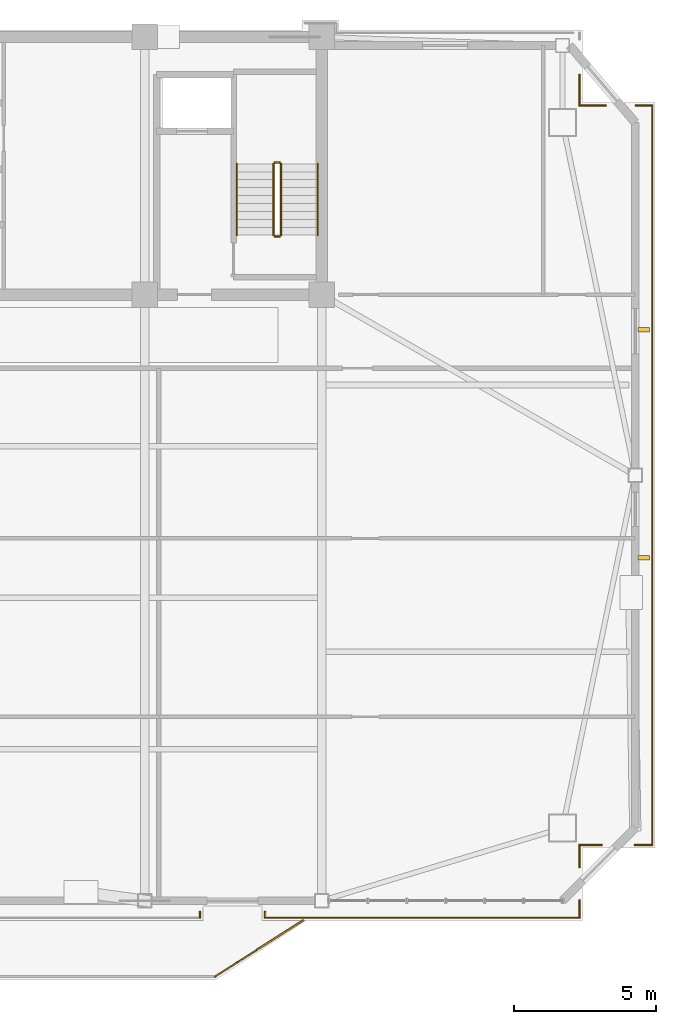
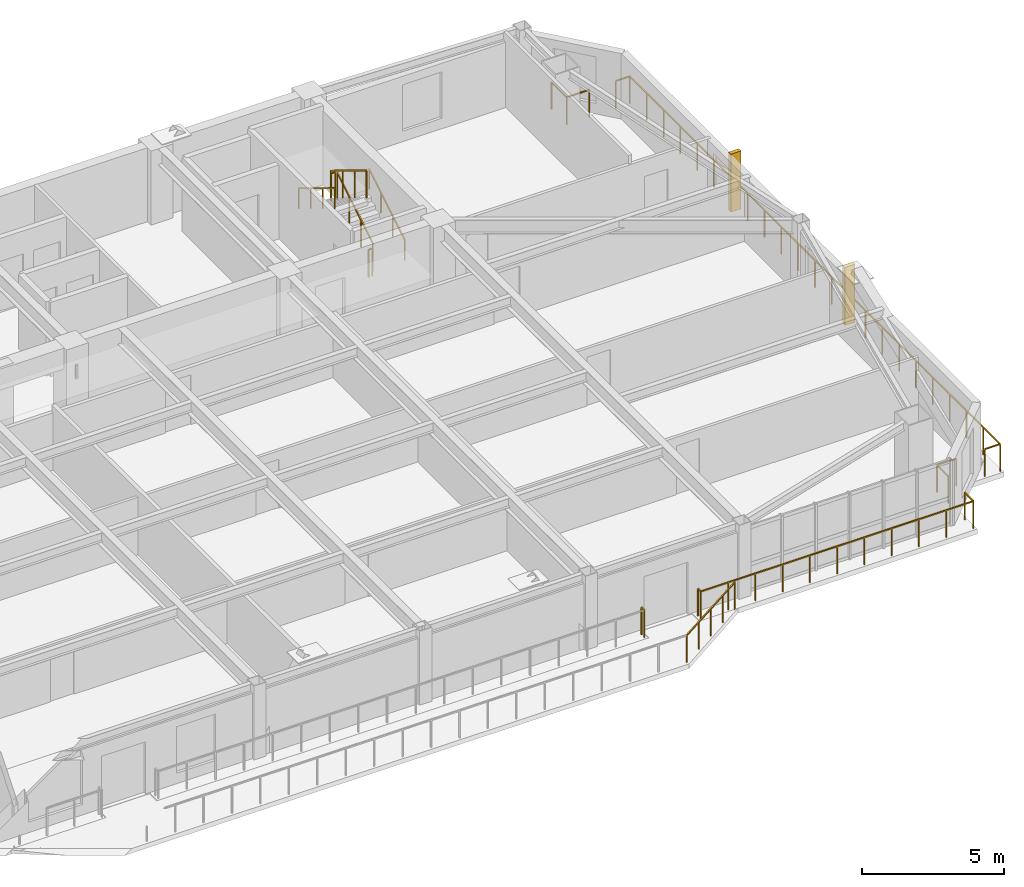
# One storey, part 16 of 18: 18 railings, 2 shading devices.
"""IFC4 building model written with IfcOpenShell, lengths in metres."""

from ifc_helpers import new_model, si_unit, direction, frame, origin, origin_2d, place, context, subcontext, project, spatial, rectangle, extrude, source, transform, mapped, material, type_object, element, save


model = new_model("IFC4")

# Units and contexts
model_context = context("Model", 3, precision=1e-05, world=origin(), true_north=direction((0.0, 1.0)))
body_context = subcontext(model_context, "Body", "Model", "MODEL_VIEW")
ifc_project = project(units=[si_unit("LENGTHUNIT", "METRE"), si_unit("AREAUNIT", "SQUARE_METRE"), si_unit("VOLUMEUNIT", "CUBIC_METRE"), si_unit("PLANEANGLEUNIT", "RADIAN"), si_unit("MASSUNIT", "GRAM", prefix="KILO")], contexts=[model_context])

# Site, building, storey
site_placement = place(None, origin())
site = spatial("IfcSite", under=ifc_project, at=site_placement, CompositionType="ELEMENT")
building_placement = place(site_placement, origin())
building = spatial("IfcBuilding", under=site, at=building_placement, Name="Giltprow Tower", CompositionType="ELEMENT")
storey_placement = place(building_placement, frame((0.0, 0.0, 258.699951171875)))
storey = spatial("IfcBuildingStorey", under=building, at=storey_placement, Name="L66", CompositionType="ELEMENT", Elevation=258.699951171875)

# Railings
ifc_material = material(Name="Anodized bronze", Category="metal")
railing_type_1 = type_object("IfcRailingType", Name="RAIL-BALC-GUARD-1200", PredefinedType="BALUSTRADE", material=ifc_material)
railing_1_placement = place(storey_placement, frame((46.780029296875, 13.364990234375, 0.0)))
element("IfcRailing", 1, at=railing_1_placement, inside=storey, type_object=railing_type_1, Name="L66 Waterfront Balcony Balustrade Seg 3", PredefinedType="BALUSTRADE", context=body_context, shape_type="SweptSolid", body=[
    extrude(rectangle(XDim=0.048095703125, YDim=0.048095703125, at=origin_2d()), frame((0.0, 0.0, 1.17578125), z_axis=(0.842755646126, 0.538296313309, 0.0), x_axis=(-0.538296313309, 0.842755646126, 0.0)), (0.0, 0.0, 1.0), 3.67822265625),
    extrude(rectangle(XDim=0.0419921875, YDim=0.0419921875, at=origin_2d()), origin(), (0.0, 0.0, 1.0), 1.15185546875),
    extrude(rectangle(XDim=0.0419921875, YDim=0.0419921875, at=origin_2d()), frame((0.77490234375, 0.4951171875, 0.0)), (0.0, 0.0, 1.0), 1.15185546875),
    extrude(rectangle(XDim=0.0419921875, YDim=0.0419921875, at=origin_2d()), frame((1.5498046875, 0.989990234375, 0.0)), (0.0, 0.0, 1.0), 1.15185546875),
    extrude(rectangle(XDim=0.0419921875, YDim=0.0419921875, at=origin_2d()), frame((2.324951171875, 1.48486328125, 0.0)), (0.0, 0.0, 1.0), 1.15185546875),
    extrude(rectangle(XDim=0.0419921875, YDim=0.0419921875, at=origin_2d()), frame((3.099853515625, 1.97998046875, 0.0)), (0.0, 0.0, 1.0), 1.15185546875),
])
railing_2_placement = place(storey_placement, frame((62.221923828125, 44.1298828125, 0.0)))
element("IfcRailing", 2, at=railing_2_placement, inside=storey, type_object=railing_type_1, Name="L66 Corner Apron Edge Balustrade 1", PredefinedType="BALUSTRADE", context=body_context, shape_type="SweptSolid", body=[
    extrude(rectangle(XDim=0.048095703125, YDim=0.048095703125, at=origin_2d()), frame((0.0, 0.0, 1.17578125), z_axis=(0.0, -1.0, 0.0), x_axis=(1.0, 0.0, 0.0)), (0.0, 0.0, 1.0), 26.116943359375),
    extrude(rectangle(XDim=0.0419921875, YDim=0.0419921875, at=origin_2d()), origin(), (0.0, 0.0, 1.0), 1.15185546875),
    extrude(rectangle(XDim=0.0419921875, YDim=0.0419921875, at=origin_2d()), frame((0.0, -1.18701171875, 0.0)), (0.0, 0.0, 1.0), 1.15185546875),
    extrude(rectangle(XDim=0.0419921875, YDim=0.0419921875, at=origin_2d()), frame((0.0, -2.374267578125, 0.0)), (0.0, 0.0, 1.0), 1.15185546875),
    extrude(rectangle(XDim=0.0419921875, YDim=0.0419921875, at=origin_2d()), frame((0.0, -3.561279296875, 0.0)), (0.0, 0.0, 1.0), 1.15185546875),
    extrude(rectangle(XDim=0.0419921875, YDim=0.0419921875, at=origin_2d()), frame((0.0, -4.74853515625, 0.0)), (0.0, 0.0, 1.0), 1.15185546875),
    extrude(rectangle(XDim=0.0419921875, YDim=0.0419921875, at=origin_2d()), frame((0.0, -5.935546875, 0.0)), (0.0, 0.0, 1.0), 1.15185546875),
    extrude(rectangle(XDim=0.0419921875, YDim=0.0419921875, at=origin_2d()), frame((0.0, -7.122802734375, 0.0)), (0.0, 0.0, 1.0), 1.15185546875),
    extrude(rectangle(XDim=0.0419921875, YDim=0.0419921875, at=origin_2d()), frame((0.0, -8.31005859375, 0.0)), (0.0, 0.0, 1.0), 1.15185546875),
    extrude(rectangle(XDim=0.0419921875, YDim=0.0419921875, at=origin_2d()), frame((0.0, -9.4970703125, 0.0)), (0.0, 0.0, 1.0), 1.15185546875),
    extrude(rectangle(XDim=0.0419921875, YDim=0.0419921875, at=origin_2d()), frame((0.0, -10.68408203125, 0.0)), (0.0, 0.0, 1.0), 1.15185546875),
    extrude(rectangle(XDim=0.0419921875, YDim=0.0419921875, at=origin_2d()), frame((0.0, -11.871337890625, 0.0)), (0.0, 0.0, 1.0), 1.15185546875),
    extrude(rectangle(XDim=0.0419921875, YDim=0.0419921875, at=origin_2d()), frame((0.0, -13.05859375, 0.0)), (0.0, 0.0, 1.0), 1.15185546875),
    extrude(rectangle(XDim=0.0419921875, YDim=0.0419921875, at=origin_2d()), frame((0.0, -14.24560546875, 0.0)), (0.0, 0.0, 1.0), 1.15185546875),
    extrude(rectangle(XDim=0.0419921875, YDim=0.0419921875, at=origin_2d()), frame((0.0, -15.4326171875, 0.0)), (0.0, 0.0, 1.0), 1.15185546875),
    extrude(rectangle(XDim=0.0419921875, YDim=0.0419921875, at=origin_2d()), frame((0.0, -16.619873046875, 0.0)), (0.0, 0.0, 1.0), 1.15185546875),
    extrude(rectangle(XDim=0.0419921875, YDim=0.0419921875, at=origin_2d()), frame((0.0, -17.80712890625, 0.0)), (0.0, 0.0, 1.0), 1.15185546875),
    extrude(rectangle(XDim=0.0419921875, YDim=0.0419921875, at=origin_2d()), frame((0.0, -18.994140625, 0.0)), (0.0, 0.0, 1.0), 1.15185546875),
    extrude(rectangle(XDim=0.0419921875, YDim=0.0419921875, at=origin_2d()), frame((0.0, -20.18115234375, 0.0)), (0.0, 0.0, 1.0), 1.15185546875),
    extrude(rectangle(XDim=0.0419921875, YDim=0.0419921875, at=origin_2d()), frame((0.0, -21.368408203125, 0.0)), (0.0, 0.0, 1.0), 1.15185546875),
    extrude(rectangle(XDim=0.0419921875, YDim=0.0419921875, at=origin_2d()), frame((0.0, -22.5556640625, 0.0)), (0.0, 0.0, 1.0), 1.15185546875),
    extrude(rectangle(XDim=0.0419921875, YDim=0.0419921875, at=origin_2d()), frame((0.0, -23.74267578125, 0.0)), (0.0, 0.0, 1.0), 1.15185546875),
    extrude(rectangle(XDim=0.0419921875, YDim=0.0419921875, at=origin_2d()), frame((0.0, -24.9296875, 0.0)), (0.0, 0.0, 1.0), 1.15185546875),
    extrude(rectangle(XDim=0.0419921875, YDim=0.0419921875, at=origin_2d()), frame((0.0, -26.116943359375, 0.0)), (0.0, 0.0, 1.0), 1.15185546875),
])
railing_3_placement = place(storey_placement, frame((62.221923828125, 18.012939453125, 0.0)))
element("IfcRailing", 3, at=railing_3_placement, inside=storey, type_object=railing_type_1, Name="L66 Corner Apron Edge Balustrade 2", PredefinedType="BALUSTRADE", context=body_context, shape_type="SweptSolid", body=[
    extrude(rectangle(XDim=0.048095703125, YDim=0.048095703125, at=origin_2d()), frame((0.0, 0.0, 1.17578125), z_axis=(-1.0, 0.0, 0.0), x_axis=(0.0, -1.0, 0.0)), (0.0, 0.0, 1.0), 0.620849609375),
    extrude(rectangle(XDim=0.0419921875, YDim=0.0419921875, at=origin_2d()), origin(), (0.0, 0.0, 1.0), 1.15185546875),
    extrude(rectangle(XDim=0.0419921875, YDim=0.0419921875, at=origin_2d()), frame((-0.620849609375, 0.0, 0.0)), (0.0, 0.0, 1.0), 1.15185546875),
])
railing_4_placement = place(storey_placement, frame((60.44091796875, 18.012939453125, 0.0)))
element("IfcRailing", 4, at=railing_4_placement, inside=storey, type_object=railing_type_1, Name="L66 Corner Apron Edge Balustrade 3", PredefinedType="BALUSTRADE", context=body_context, shape_type="SweptSolid", body=[
    extrude(rectangle(XDim=0.048095703125, YDim=0.048095703125, at=origin_2d()), frame((0.0, 0.0, 1.17578125), z_axis=(-1.0, 0.0, 0.0), x_axis=(0.0, -1.0, 0.0)), (0.0, 0.0, 1.0), 0.788818359375),
    extrude(rectangle(XDim=0.0419921875, YDim=0.0419921875, at=origin_2d()), origin(), (0.0, 0.0, 1.0), 1.15185546875),
    extrude(rectangle(XDim=0.0419921875, YDim=0.0419921875, at=origin_2d()), frame((-0.788818359375, 0.0, 0.0)), (0.0, 0.0, 1.0), 1.15185546875),
])
railing_5_placement = place(storey_placement, frame((59.652099609375, 18.012939453125, 0.0)))
element("IfcRailing", 5, at=railing_5_placement, inside=storey, type_object=railing_type_1, Name="L66 Corner Apron Edge Balustrade 4", PredefinedType="BALUSTRADE", context=body_context, shape_type="SweptSolid", body=[
    extrude(rectangle(XDim=0.048095703125, YDim=0.048095703125, at=origin_2d()), frame((0.0, 0.0, 1.17578125), z_axis=(0.0, -1.0, 0.0), x_axis=(1.0, 0.0, 0.0)), (0.0, 0.0, 1.0), 0.788818359375),
    extrude(rectangle(XDim=0.0419921875, YDim=0.0419921875, at=origin_2d()), origin(), (0.0, 0.0, 1.0), 1.15185546875),
    extrude(rectangle(XDim=0.0419921875, YDim=0.0419921875, at=origin_2d()), frame((0.0, -0.788818359375, 0.0)), (0.0, 0.0, 1.0), 1.15185546875),
])
railing_6_placement = place(storey_placement, frame((59.652099609375, 16.06396484375, 0.0)))
element("IfcRailing", 6, at=railing_6_placement, inside=storey, type_object=railing_type_1, Name="L66 Corner Apron Edge Balustrade 5", PredefinedType="BALUSTRADE", context=body_context, shape_type="SweptSolid", body=[
    extrude(rectangle(XDim=0.048095703125, YDim=0.048095703125, at=origin_2d()), frame((0.0, 0.0, 1.17578125), z_axis=(0.0, -1.0, 0.0), x_axis=(1.0, 0.0, 0.0)), (0.0, 0.0, 1.0), 0.618896484375),
    extrude(rectangle(XDim=0.0419921875, YDim=0.0419921875, at=origin_2d()), origin(), (0.0, 0.0, 1.0), 1.15185546875),
    extrude(rectangle(XDim=0.0419921875, YDim=0.0419921875, at=origin_2d()), frame((0.0, -0.618896484375, 0.0)), (0.0, 0.0, 1.0), 1.15185546875),
])
railing_7_placement = place(storey_placement, frame((59.652099609375, 15.445068359375, 0.0)))
element("IfcRailing", 7, at=railing_7_placement, inside=storey, type_object=railing_type_1, Name="L66 Corner Apron Edge Balustrade 6", PredefinedType="BALUSTRADE", context=body_context, shape_type="SweptSolid", body=[
    extrude(rectangle(XDim=0.048095703125, YDim=0.048095703125, at=origin_2d()), frame((0.0, 0.0, 1.17578125), z_axis=(-1.0, 0.0, 0.0), x_axis=(0.0, -1.0, 0.0)), (0.0, 0.0, 1.0), 11.10205078125),
    extrude(rectangle(XDim=0.0419921875, YDim=0.0419921875, at=origin_2d()), origin(), (0.0, 0.0, 1.0), 1.15185546875),
    extrude(rectangle(XDim=0.0419921875, YDim=0.0419921875, at=origin_2d()), frame((-1.110107421875, 0.0, 0.0)), (0.0, 0.0, 1.0), 1.15185546875),
    extrude(rectangle(XDim=0.0419921875, YDim=0.0419921875, at=origin_2d()), frame((-2.220458984375, 0.0, 0.0)), (0.0, 0.0, 1.0), 1.15185546875),
    extrude(rectangle(XDim=0.0419921875, YDim=0.0419921875, at=origin_2d()), frame((-3.33056640625, 0.0, 0.0)), (0.0, 0.0, 1.0), 1.15185546875),
    extrude(rectangle(XDim=0.0419921875, YDim=0.0419921875, at=origin_2d()), frame((-4.44091796875, 0.0, 0.0)), (0.0, 0.0, 1.0), 1.15185546875),
    extrude(rectangle(XDim=0.0419921875, YDim=0.0419921875, at=origin_2d()), frame((-5.551025390625, 0.0, 0.0)), (0.0, 0.0, 1.0), 1.15185546875),
    extrude(rectangle(XDim=0.0419921875, YDim=0.0419921875, at=origin_2d()), frame((-6.6611328125, 0.0, 0.0)), (0.0, 0.0, 1.0), 1.15185546875),
    extrude(rectangle(XDim=0.0419921875, YDim=0.0419921875, at=origin_2d()), frame((-7.771484375, 0.0, 0.0)), (0.0, 0.0, 1.0), 1.15185546875),
    extrude(rectangle(XDim=0.0419921875, YDim=0.0419921875, at=origin_2d()), frame((-8.881591796875, 0.0, 0.0)), (0.0, 0.0, 1.0), 1.15185546875),
    extrude(rectangle(XDim=0.0419921875, YDim=0.0419921875, at=origin_2d()), frame((-9.991943359375, 0.0, 0.0)), (0.0, 0.0, 1.0), 1.15185546875),
    extrude(rectangle(XDim=0.0419921875, YDim=0.0419921875, at=origin_2d()), frame((-11.10205078125, 0.0, 0.0)), (0.0, 0.0, 1.0), 1.15185546875),
])
railing_8_placement = place(storey_placement, frame((48.550048828125, 15.445068359375, 0.0)))
element("IfcRailing", 8, at=railing_8_placement, inside=storey, type_object=railing_type_1, Name="L66 Corner Apron Edge Balustrade 7", PredefinedType="BALUSTRADE", context=body_context, shape_type="SweptSolid", body=[
    extrude(rectangle(XDim=0.048095703125, YDim=0.048095703125, at=origin_2d()), frame((0.0, 0.0, 1.17578125), z_axis=(0.0, 1.0, 0.0), x_axis=(-1.0, 0.0, 0.0)), (0.0, 0.0, 1.0), 0.199951171875),
    extrude(rectangle(XDim=0.0419921875, YDim=0.0419921875, at=origin_2d()), origin(), (0.0, 0.0, 1.0), 1.15185546875),
    extrude(rectangle(XDim=0.0419921875, YDim=0.0419921875, at=origin_2d()), frame((0.0, 0.199951171875, 0.0)), (0.0, 0.0, 1.0), 1.15185546875),
])
railing_9_placement = place(storey_placement, frame((46.25, 15.64501953125, 0.0)))
element("IfcRailing", 9, at=railing_9_placement, inside=storey, type_object=railing_type_1, Name="L66 Corner Apron Edge Balustrade 8", PredefinedType="BALUSTRADE", context=body_context, shape_type="SweptSolid", body=[
    extrude(rectangle(XDim=0.048095703125, YDim=0.048095703125, at=origin_2d()), frame((0.0, 0.0, 1.17578125), z_axis=(0.0, -1.0, 0.0), x_axis=(1.0, 0.0, 0.0)), (0.0, 0.0, 1.0), 0.199951171875),
    extrude(rectangle(XDim=0.0419921875, YDim=0.0419921875, at=origin_2d()), origin(), (0.0, 0.0, 1.0), 1.15185546875),
    extrude(rectangle(XDim=0.0419921875, YDim=0.0419921875, at=origin_2d()), frame((0.0, -0.199951171875, 0.0)), (0.0, 0.0, 1.0), 1.15185546875),
])
railing_10_placement = place(storey_placement, frame((59.652099609375, 45.208984375, 0.0)))
element("IfcRailing", 10, at=railing_10_placement, inside=storey, type_object=railing_type_1, Name="L66 Corner Apron Edge Balustrade 29", PredefinedType="BALUSTRADE", context=body_context, shape_type="SweptSolid", body=[
    extrude(rectangle(XDim=0.048095703125, YDim=0.048095703125, at=origin_2d()), frame((0.0, 0.0, 1.17578125), z_axis=(0.0, -1.0, 0.0), x_axis=(1.0, 0.0, 0.0)), (0.0, 0.0, 1.0), 1.0791015625),
    extrude(rectangle(XDim=0.0419921875, YDim=0.0419921875, at=origin_2d()), origin(), (0.0, 0.0, 1.0), 1.15185546875),
    extrude(rectangle(XDim=0.0419921875, YDim=0.0419921875, at=origin_2d()), frame((0.0, -1.0791015625, 0.0)), (0.0, 0.0, 1.0), 1.15185546875),
])
railing_11_placement = place(storey_placement, frame((59.652099609375, 44.1298828125, 0.0)))
element("IfcRailing", 11, at=railing_11_placement, inside=storey, type_object=railing_type_1, Name="L66 Corner Apron Edge Balustrade 30", PredefinedType="BALUSTRADE", context=body_context, shape_type="SweptSolid", body=[
    extrude(rectangle(XDim=0.048095703125, YDim=0.048095703125, at=origin_2d()), frame((0.0, 0.0, 1.17578125), z_axis=(1.0, 0.0, 0.0), x_axis=(0.0, 1.0, 0.0)), (0.0, 0.0, 1.0), 0.919921875),
    extrude(rectangle(XDim=0.0419921875, YDim=0.0419921875, at=origin_2d()), origin(), (0.0, 0.0, 1.0), 1.15185546875),
    extrude(rectangle(XDim=0.0419921875, YDim=0.0419921875, at=origin_2d()), frame((0.919921875, 0.0, 0.0)), (0.0, 0.0, 1.0), 1.15185546875),
])
railing_12_placement = place(storey_placement, frame((61.64892578125, 44.1298828125, 0.0)))
element("IfcRailing", 12, at=railing_12_placement, inside=storey, type_object=railing_type_1, Name="L66 Corner Apron Edge Balustrade 31", PredefinedType="BALUSTRADE", context=body_context, shape_type="SweptSolid", body=[
    extrude(rectangle(XDim=0.048095703125, YDim=0.048095703125, at=origin_2d()), frame((0.0, 0.0, 1.17578125), z_axis=(1.0, 0.0, 0.0), x_axis=(0.0, 1.0, 0.0)), (0.0, 0.0, 1.0), 0.572998046875),
    extrude(rectangle(XDim=0.0419921875, YDim=0.0419921875, at=origin_2d()), origin(), (0.0, 0.0, 1.0), 1.15185546875),
    extrude(rectangle(XDim=0.0419921875, YDim=0.0419921875, at=origin_2d()), frame((0.572998046875, 0.0, 0.0)), (0.0, 0.0, 1.0), 1.15185546875),
])
railing_type_2 = type_object("IfcRailingType", Name="RAIL-STAIR-GUARD-1200", PredefinedType="GUARDRAIL", material=ifc_material)
railing_13_placement = place(storey_placement, frame((49.110107421875, 39.550048828125, 0.170166015625)))
element("IfcRailing", 13, at=railing_13_placement, inside=storey, type_object=railing_type_2, Name="L66 ST-3 stair guard 1", PredefinedType="GUARDRAIL", context=body_context, shape_type="SweptSolid", body=[
    extrude(rectangle(XDim=0.048095703125, YDim=0.048095703125, at=origin_2d()), frame((0.0, 0.0, 1.17578125), z_axis=(0.0, 0.854821627497, 0.518921945155), x_axis=(-1.0, 0.0, 0.0)), (0.0, 0.0, 1.0), 2.947998046875),
    extrude(rectangle(XDim=0.0419921875, YDim=0.0419921875, at=origin_2d()), origin(), (0.0, 0.0, 1.0), 1.15185546875),
    extrude(rectangle(XDim=0.0419921875, YDim=0.0419921875, at=origin_2d()), frame((0.0, 0.840087890625, 0.510009765625)), (0.0, 0.0, 1.0), 1.15185546875),
    extrude(rectangle(XDim=0.0419921875, YDim=0.0419921875, at=origin_2d()), frame((0.0, 1.679931640625, 1.019775390625)), (0.0, 0.0, 1.0), 1.15185546875),
    extrude(rectangle(XDim=0.0419921875, YDim=0.0419921875, at=origin_2d()), frame((0.0, 2.52001953125, 1.52978515625)), (0.0, 0.0, 1.0), 1.15185546875),
])
railing_14_placement = place(storey_placement, frame((49.06005859375, 42.1201171875, 1.699951171875)))
element("IfcRailing", 14, at=railing_14_placement, inside=storey, type_object=railing_type_2, Name="L66 ST-3 stair guard 2", PredefinedType="GUARDRAIL", context=body_context, shape_type="SweptSolid", body=[
    extrude(rectangle(XDim=0.048095703125, YDim=0.048095703125, at=origin_2d()), frame((0.0, 0.0, 1.17578125), z_axis=(-1.0, 0.0, 0.0), x_axis=(0.0, -1.0, 0.0)), (0.0, 0.0, 1.0), 0.16015625),
    extrude(rectangle(XDim=0.0419921875, YDim=0.0419921875, at=origin_2d()), origin(), (0.0, 0.0, 1.0), 1.15185546875),
    extrude(rectangle(XDim=0.0419921875, YDim=0.0419921875, at=origin_2d()), frame((-0.16015625, 0.0, 0.0)), (0.0, 0.0, 1.0), 1.15185546875),
])
railing_15_placement = place(storey_placement, frame((48.85009765625, 42.070068359375, 1.8701171875)))
element("IfcRailing", 15, at=railing_15_placement, inside=storey, type_object=railing_type_2, Name="L66 ST-3 stair guard 3", PredefinedType="GUARDRAIL", context=body_context, shape_type="SweptSolid", body=[
    extrude(rectangle(XDim=0.048095703125, YDim=0.048095703125, at=origin_2d()), frame((0.0, 0.0, 1.17578125), z_axis=(0.0, -0.85478489116, 0.518982456201), x_axis=(1.0, 0.0, 0.0)), (0.0, 0.0, 1.0), 2.9482421875),
    extrude(rectangle(XDim=0.0419921875, YDim=0.0419921875, at=origin_2d()), origin(), (0.0, 0.0, 1.0), 1.15185546875),
    extrude(rectangle(XDim=0.0419921875, YDim=0.0419921875, at=origin_2d()), frame((0.0, -0.840087890625, 0.510009765625)), (0.0, 0.0, 1.0), 1.15185546875),
    extrude(rectangle(XDim=0.0419921875, YDim=0.0419921875, at=origin_2d()), frame((0.0, -1.679931640625, 1.02001953125)), (0.0, 0.0, 1.0), 1.15185546875),
    extrude(rectangle(XDim=0.0419921875, YDim=0.0419921875, at=origin_2d()), frame((0.0, -2.52001953125, 1.530029296875)), (0.0, 0.0, 1.0), 1.15185546875),
])
railing_16_placement = place(storey_placement, frame((49.06005859375, 39.5, 0.0)))
element("IfcRailing", 16, at=railing_16_placement, inside=storey, type_object=railing_type_2, Name="L66 ST-3 stair guard 4", PredefinedType="GUARDRAIL", context=body_context, shape_type="SweptSolid", body=[
    extrude(rectangle(XDim=0.048095703125, YDim=0.048095703125, at=origin_2d()), frame((0.0, 0.0, 1.17578125), z_axis=(-1.0, 0.0, 0.0), x_axis=(0.0, -1.0, 0.0)), (0.0, 0.0, 1.0), 0.16015625),
    extrude(rectangle(XDim=0.0419921875, YDim=0.0419921875, at=origin_2d()), origin(), (0.0, 0.0, 1.0), 1.15185546875),
    extrude(rectangle(XDim=0.0419921875, YDim=0.0419921875, at=origin_2d()), frame((-0.16015625, 0.0, 0.0)), (0.0, 0.0, 1.0), 1.15185546875),
])
railing_type_3 = type_object("IfcRailingType", Name="RAIL-STAIR-HAND-900", PredefinedType="HANDRAIL", material=ifc_material)
railing_17_placement = place(storey_placement, frame((50.409912109375, 39.550048828125, 0.170166015625)))
element("IfcRailing", 17, at=railing_17_placement, inside=storey, type_object=railing_type_3, Name="L66 ST-3 stair handrail 1", PredefinedType="HANDRAIL", context=body_context, shape_type="SweptSolid", body=[
    extrude(rectangle(XDim=0.048095703125, YDim=0.048095703125, at=origin_2d()), frame((0.0, 0.0, 0.8759765625), z_axis=(0.0, 0.854821627497, 0.518921945155), x_axis=(-1.0, 0.0, 0.0)), (0.0, 0.0, 1.0), 2.947998046875),
    extrude(rectangle(XDim=0.0419921875, YDim=0.0419921875, at=origin_2d()), origin(), (0.0, 0.0, 1.0), 0.851806640625),
    extrude(rectangle(XDim=0.0419921875, YDim=0.0419921875, at=origin_2d()), frame((0.0, 0.840087890625, 0.510009765625)), (0.0, 0.0, 1.0), 0.851806640625),
    extrude(rectangle(XDim=0.0419921875, YDim=0.0419921875, at=origin_2d()), frame((0.0, 1.679931640625, 1.019775390625)), (0.0, 0.0, 1.0), 0.851806640625),
    extrude(rectangle(XDim=0.0419921875, YDim=0.0419921875, at=origin_2d()), frame((0.0, 2.52001953125, 1.52978515625)), (0.0, 0.0, 1.0), 0.851806640625),
])
railing_18_placement = place(storey_placement, frame((47.550048828125, 42.070068359375, 1.8701171875)))
element("IfcRailing", 18, at=railing_18_placement, inside=storey, type_object=railing_type_3, Name="L66 ST-3 stair handrail 2", PredefinedType="HANDRAIL", context=body_context, shape_type="SweptSolid", body=[
    extrude(rectangle(XDim=0.048095703125, YDim=0.048095703125, at=origin_2d()), frame((0.0, 0.0, 0.8759765625), z_axis=(0.0, -0.85478489116, 0.518982456201), x_axis=(1.0, 0.0, 0.0)), (0.0, 0.0, 1.0), 2.9482421875),
    extrude(rectangle(XDim=0.0419921875, YDim=0.0419921875, at=origin_2d()), origin(), (0.0, 0.0, 1.0), 0.851806640625),
    extrude(rectangle(XDim=0.0419921875, YDim=0.0419921875, at=origin_2d()), frame((0.0, -0.840087890625, 0.510009765625)), (0.0, 0.0, 1.0), 0.851806640625),
    extrude(rectangle(XDim=0.0419921875, YDim=0.0419921875, at=origin_2d()), frame((0.0, -1.679931640625, 1.02001953125)), (0.0, 0.0, 1.0), 0.851806640625),
    extrude(rectangle(XDim=0.0419921875, YDim=0.0419921875, at=origin_2d()), frame((0.0, -2.52001953125, 1.530029296875)), (0.0, 0.0, 1.0), 0.851806640625),
])

# Shading devices
shading_device_type = type_object("IfcShadingDeviceType", Name="SHD-FIN-420", PredefinedType="USERDEFINED", material=ifc_material)
shared_shape = source(origin(), body_context, "Body", "SweptSolid", [
    extrude(rectangle(XDim=0.419921875, YDim=0.159912109375, at=origin_2d()), origin(), (0.0, 0.0, 1.0), 2.5),
])
for number, where, z_axis, x_axis, name in (
    (19, (61.922119140625, 28.157958984375, 0.35009765625), (0.0, 0.0, 1.0), (1.0, 0.0, 0.0), "L66 E Bronze Vertical Fin 1-1"),
    (20, (61.922119140625, 36.2060546875, 0.35009765625), (0.0, 0.0, 1.0), (1.0, 0.0, 0.0), "L66 E Bronze Vertical Fin 2-1"),
):
    element("IfcShadingDevice", number, at=place(storey_placement, frame(where, z_axis=z_axis, x_axis=x_axis)), inside=storey, type_object=shading_device_type, Name=name, ObjectType="FIN", PredefinedType="USERDEFINED", context=body_context, shape_type="MappedRepresentation", body=[
        mapped(shared_shape, transform((0.0, 0.0, 0.0), x_axis=(1.0, 0.0, 0.0), y_axis=(0.0, 1.0, 0.0), z_axis=(0.0, 0.0, 1.0), scale=1.0)),
    ])

save(model, "model.ifc")
